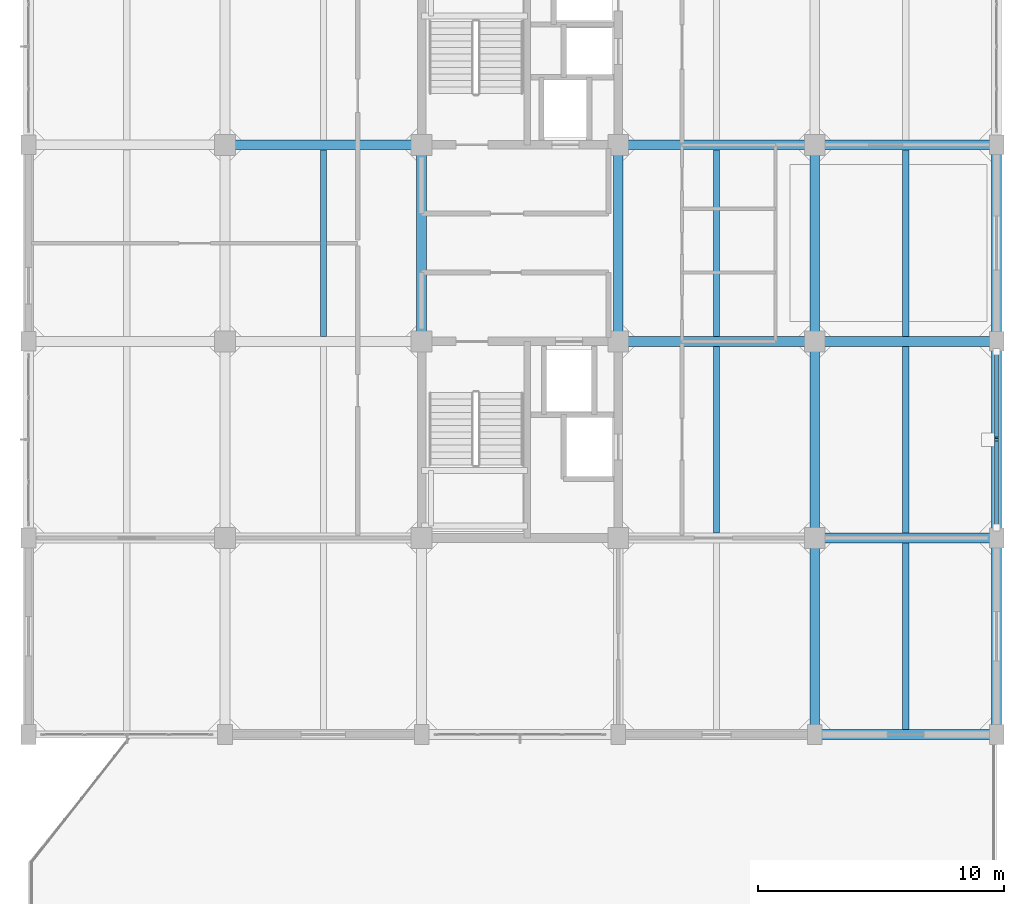
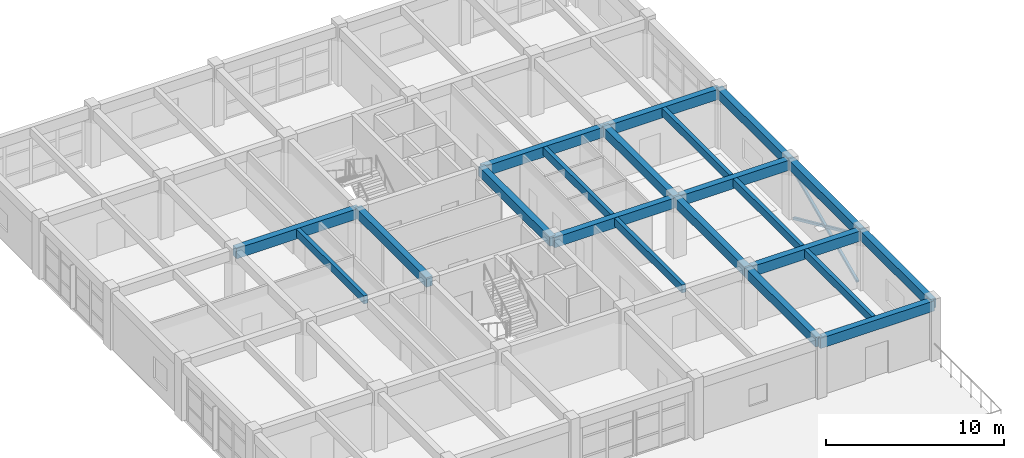
# One storey, part 11 of 30: 21 beams, 3 members.
"""IFC4 building model written with IfcOpenShell, lengths in metres."""

from ifc_helpers import new_model, si_unit, direction, frame, origin, origin_2d, place, context, subcontext, project, spatial, rectangle, hollow_rectangle, extrude, material, material_profile, profile_set, type_object, element, save


model = new_model("IFC4")

# Units and contexts
model_context = context("Model", 3, precision=1e-05, world=origin(), true_north=direction((0.0, 1.0)))
body_context = subcontext(model_context, "Body", "Model", "MODEL_VIEW")
ifc_project = project(units=[si_unit("LENGTHUNIT", "METRE"), si_unit("AREAUNIT", "SQUARE_METRE"), si_unit("VOLUMEUNIT", "CUBIC_METRE"), si_unit("PLANEANGLEUNIT", "RADIAN"), si_unit("MASSUNIT", "GRAM", prefix="KILO")], contexts=[model_context])

# Site, building, storey
site_placement = place(None, origin())
site = spatial("IfcSite", under=ifc_project, at=site_placement, CompositionType="ELEMENT")
building_placement = place(site_placement, origin())
building = spatial("IfcBuilding", under=site, at=building_placement, Name="Canggui Botanical Conservatory", CompositionType="ELEMENT")
storey_placement = place(building_placement, frame((0.0, 0.0, 27.60009765625)))
storey = spatial("IfcBuildingStorey", under=building, at=storey_placement, Name="L07", CompositionType="ELEMENT", Elevation=27.60009765625)

# Beams
ifc_material_1 = material(Name="Concrete C35", Category="concrete")
ifc_material_profile_1 = material_profile(ifc_material_1, rectangle(XDim=0.25, YDim=0.550048828125, at=origin_2d()), Name="RB 250x550")
ifc_profile_set_1 = profile_set([ifc_material_profile_1], Name="Concrete C35")
beam_type_1 = type_object("IfcBeamType", Name="BM-JST03", PredefinedType="JOIST", material=ifc_profile_set_1)
for number, where, z_axis, x_axis, name in (
    (1, (150.0, 50.205078125, 3.684814453125), (0.0, 1.0, 0.0), (-1.0, 0.0, 0.0), "Secondary Floor Joist L07-2-3"),
    (2, (166.0, 42.205078125, 3.684814453125), (0.0, 1.0, 0.0), (-1.0, 0.0, 0.0), "Secondary Floor Joist L07-4-2"),
    (3, (166.0, 50.205078125, 3.684814453125), (0.0, 1.0, 0.0), (-1.0, 0.0, 0.0), "Secondary Floor Joist L07-4-3"),
    (4, (173.699951171875, 34.205078125, 3.684814453125), (0.0, 1.0, 0.0), (-1.0, 0.0, 0.0), "Secondary Floor Joist L07-5-1"),
    (5, (173.699951171875, 42.205078125, 3.684814453125), (0.0, 1.0, 0.0), (-1.0, 0.0, 0.0), "Secondary Floor Joist L07-5-2"),
    (6, (173.699951171875, 50.205078125, 3.684814453125), (0.0, 1.0, 0.0), (-1.0, 0.0, 0.0), "Secondary Floor Joist L07-5-3"),
):
    element("IfcBeam", number, at=place(storey_placement, frame(where, z_axis=z_axis, x_axis=x_axis)), inside=storey, type_object=beam_type_1, Name=name, PredefinedType="JOIST", context=body_context, shape_type="SweptSolid", body=[
        extrude(rectangle(XDim=0.25, YDim=0.550048828125, at=origin_2d()), origin(), (0.0, 0.0, 1.0), 7.58984375),
    ])
ifc_material_profile_2 = material_profile(ifc_material_1, rectangle(XDim=0.39990234375, YDim=0.699951171875, at=origin_2d()), Name="RB 400x700")
ifc_profile_set_2 = profile_set([ifc_material_profile_2], Name="Concrete C35")
beam_type_2 = type_object("IfcBeamType", Name="BM-KL11", PredefinedType="BEAM", material=ifc_profile_set_2)
for number, where, z_axis, x_axis, name in (
    (7, (170.0, 34.0, 3.60986328125), (1.0, 0.0, 0.0), (0.0, 1.0, 0.0), "Frame Girder L07 Y34-5"),
    (8, (170.0, 42.0, 3.60986328125), (1.0, 0.0, 0.0), (0.0, 1.0, 0.0), "Frame Girder L07 Y42-5"),
):
    element("IfcBeam", number, at=place(storey_placement, frame(where, z_axis=z_axis, x_axis=x_axis)), inside=storey, type_object=beam_type_2, Name=name, PredefinedType="BEAM", context=body_context, shape_type="SweptSolid", body=[
        extrude(rectangle(XDim=0.39990234375, YDim=0.699951171875, at=origin_2d()), origin(), (0.0, 0.0, 1.0), 7.39990234375),
    ])
beam_1_placement = place(storey_placement, frame((162.0, 50.0, 3.60986328125), z_axis=(1.0, 0.0, 0.0), x_axis=(0.0, 1.0, 0.0)))
element("IfcBeam", 9, at=beam_1_placement, inside=storey, type_object=beam_type_2, Name="Frame Girder L07 Y50-4", PredefinedType="BEAM", context=body_context, shape_type="SweptSolid", body=[
    extrude(rectangle(XDim=0.39990234375, YDim=0.699951171875, at=origin_2d()), origin(), (0.0, 0.0, 1.0), 8.0),
])
beam_2_placement = place(storey_placement, frame((170.0, 50.0, 3.60986328125), z_axis=(1.0, 0.0, 0.0), x_axis=(0.0, 1.0, 0.0)))
element("IfcBeam", 10, at=beam_2_placement, inside=storey, type_object=beam_type_2, Name="Frame Girder L07 Y50-5", PredefinedType="BEAM", context=body_context, shape_type="SweptSolid", body=[
    extrude(rectangle(XDim=0.39990234375, YDim=0.699951171875, at=origin_2d()), origin(), (0.0, 0.0, 1.0), 7.39990234375),
])
for number, where, z_axis, x_axis, name in (
    (11, (146.0, 58.0, 3.60986328125), (1.0, 0.0, 0.0), (0.0, 1.0, 0.0), "Frame Girder L07 Y58-2"),
    (12, (162.0, 58.0, 3.60986328125), (1.0, 0.0, 0.0), (0.0, 1.0, 0.0), "Frame Girder L07 Y58-4"),
):
    element("IfcBeam", number, at=place(storey_placement, frame(where, z_axis=z_axis, x_axis=x_axis)), inside=storey, type_object=beam_type_2, Name=name, PredefinedType="BEAM", context=body_context, shape_type="SweptSolid", body=[
        extrude(rectangle(XDim=0.39990234375, YDim=0.699951171875, at=origin_2d()), origin(), (0.0, 0.0, 1.0), 8.0),
    ])
beam_3_placement = place(storey_placement, frame((170.0, 58.0, 3.60986328125), z_axis=(1.0, 0.0, 0.0), x_axis=(0.0, 1.0, 0.0)))
element("IfcBeam", 13, at=beam_3_placement, inside=storey, type_object=beam_type_2, Name="Frame Girder L07 Y58-5", PredefinedType="BEAM", context=body_context, shape_type="SweptSolid", body=[
    extrude(rectangle(XDim=0.39990234375, YDim=0.699951171875, at=origin_2d()), origin(), (0.0, 0.0, 1.0), 7.39990234375),
])
ifc_material_profile_3 = material_profile(ifc_material_1, rectangle(XDim=0.39990234375, YDim=0.64990234375, at=origin_2d()), Name="RB 400x650")
ifc_profile_set_3 = profile_set([ifc_material_profile_3], Name="Concrete C35")
beam_type_3 = type_object("IfcBeamType", Name="BM-KL12", PredefinedType="BEAM", material=ifc_profile_set_3)
for number, where, z_axis, x_axis, name in (
    (14, (154.0, 50.0, 3.635009765625), (0.0, 1.0, 0.0), (-1.0, 0.0, 0.0), "Frame Girder L07 X154-3"),
    (15, (162.0, 50.0, 3.635009765625), (0.0, 1.0, 0.0), (-1.0, 0.0, 0.0), "Frame Girder L07 X162-3"),
    (16, (170.0, 34.0, 3.635009765625), (0.0, 1.0, 0.0), (-1.0, 0.0, 0.0), "Frame Girder L07 X170-1"),
    (17, (170.0, 42.0, 3.635009765625), (0.0, 1.0, 0.0), (-1.0, 0.0, 0.0), "Frame Girder L07 X170-2"),
    (18, (170.0, 50.0, 3.635009765625), (0.0, 1.0, 0.0), (-1.0, 0.0, 0.0), "Frame Girder L07 X170-3"),
    (19, (177.39990234375, 34.0, 3.635009765625), (0.0, 1.0, 0.0), (-1.0, 0.0, 0.0), "Frame Girder L07 X178-1"),
    (20, (177.39990234375, 42.0, 3.635009765625), (0.0, 1.0, 0.0), (-1.0, 0.0, 0.0), "Frame Girder L07 X178-2"),
    (21, (177.39990234375, 50.0, 3.635009765625), (0.0, 1.0, 0.0), (-1.0, 0.0, 0.0), "Frame Girder L07 X178-3"),
):
    element("IfcBeam", number, at=place(storey_placement, frame(where, z_axis=z_axis, x_axis=x_axis)), inside=storey, type_object=beam_type_3, Name=name, PredefinedType="BEAM", context=body_context, shape_type="SweptSolid", body=[
        extrude(rectangle(XDim=0.39990234375, YDim=0.64990234375, at=origin_2d()), origin(), (0.0, 0.0, 1.0), 8.0),
    ])

# Members
ifc_material_2 = material(Name="Steel Q355B", Category="steel")
ifc_material_profile_4 = material_profile(ifc_material_2, hollow_rectangle(XDim=0.159912109375, YDim=0.159912109375, WallThickness=0.008056640625, at=origin_2d()), Name="SHS 160x160x8")
ifc_profile_set_4 = profile_set([ifc_material_profile_4], Name="Steel Q355B")
member_type = type_object("IfcMemberType", Name="MEM-ZC04", PredefinedType="BRACE", material=ifc_profile_set_4)
member_1_placement = place(storey_placement, frame((177.39990234375, 42.419921875, 0.0498046875), z_axis=(0.0, 0.911544271313, 0.411201947268), x_axis=(-1.0, 0.0, 0.0)))
element("IfcMember", 22, at=member_1_placement, inside=storey, type_object=member_type, Name="Seismic Concentric X-Brace Continuous Diagonal L07-A", PredefinedType="BRACE", context=body_context, shape_type="SweptSolid", body=[
    extrude(hollow_rectangle(XDim=0.159912109375, YDim=0.159912109375, WallThickness=0.008056640625, at=origin_2d()), origin(), (0.0, 0.0, 1.0), 7.85498046875),
])
member_2_placement = place(storey_placement, frame((177.39990234375, 49.580078125, 0.0498046875), z_axis=(0.0, -0.911530650005, 0.411232141376), x_axis=(1.0, 0.0, 0.0)))
element("IfcMember", 23, at=member_2_placement, inside=storey, type_object=member_type, Name="Seismic Concentric X-Brace Lower Split Diagonal L07-B1", PredefinedType="BRACE", context=body_context, shape_type="SweptSolid", body=[
    extrude(hollow_rectangle(XDim=0.159912109375, YDim=0.159912109375, WallThickness=0.008056640625, at=origin_2d()), origin(), (0.0, 0.0, 1.0), 3.837646484375),
])
member_3_placement = place(storey_placement, frame((177.39990234375, 45.91796875, 1.701904296875), z_axis=(0.0, -0.911554496661, 0.411179279168), x_axis=(1.0, 0.0, 0.0)))
element("IfcMember", 24, at=member_3_placement, inside=storey, type_object=member_type, Name="Seismic Concentric X-Brace Upper Split Diagonal L07-B2", PredefinedType="BRACE", context=body_context, shape_type="SweptSolid", body=[
    extrude(hollow_rectangle(XDim=0.159912109375, YDim=0.159912109375, WallThickness=0.008056640625, at=origin_2d()), origin(), (0.0, 0.0, 1.0), 3.83740234375),
])

save(model, "model.ifc")
